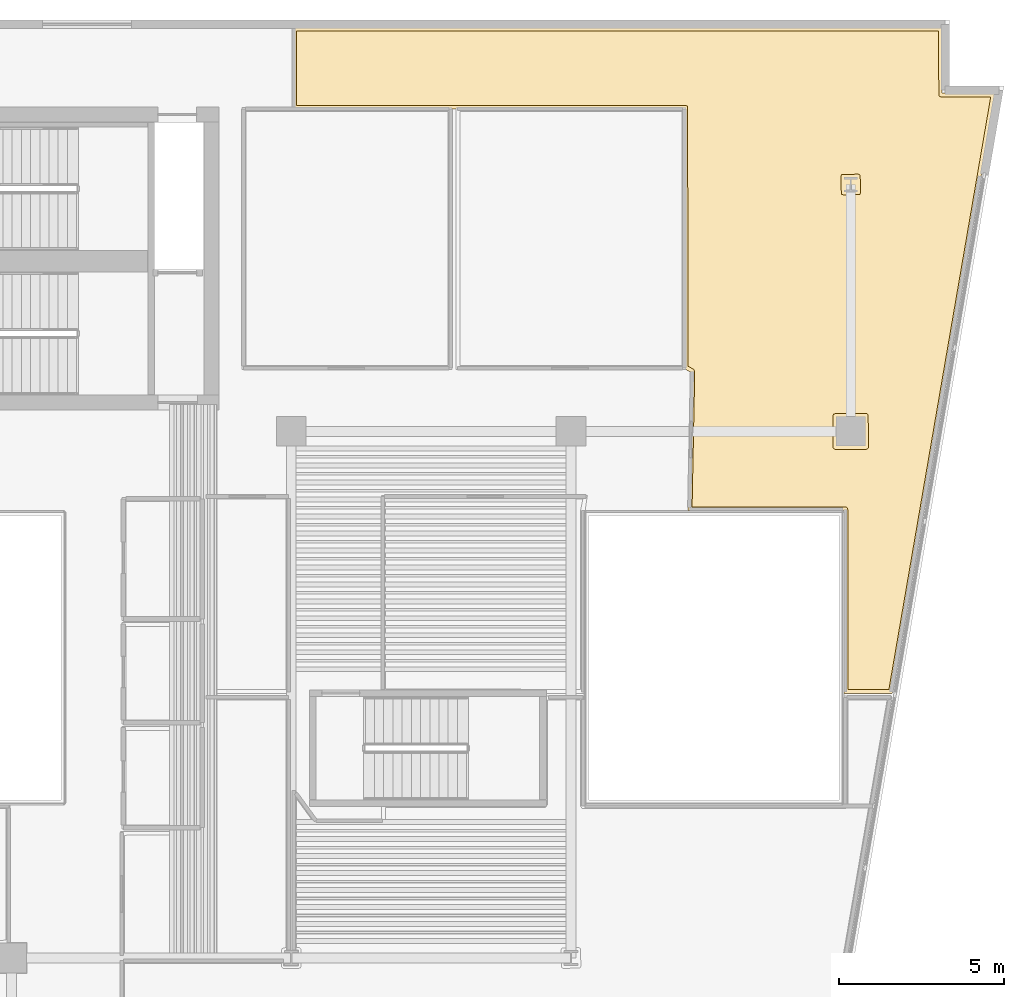
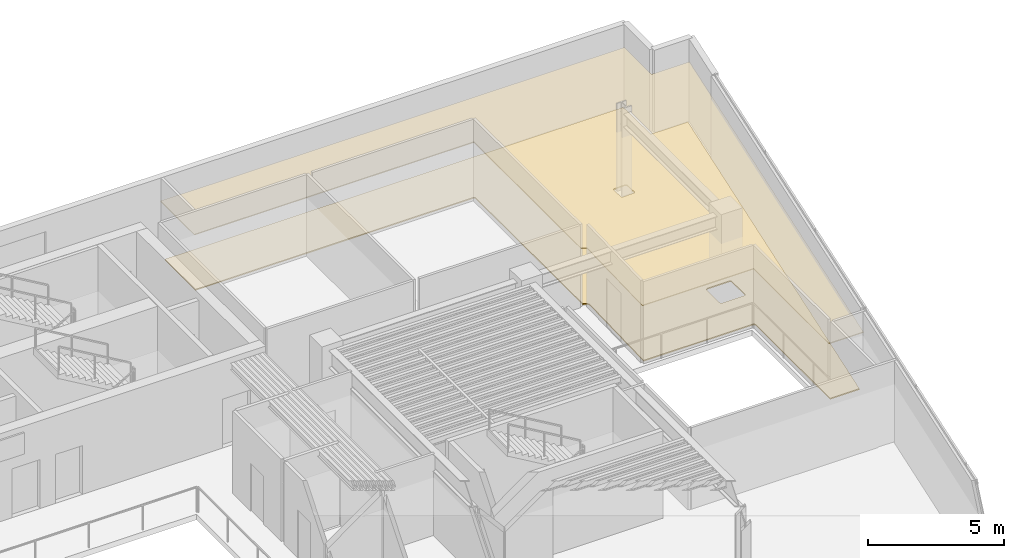
# One storey, part 10 of 10: 2 coverings.
"""IFC4 building model written with IfcOpenShell, lengths in metres."""

from ifc_helpers import new_model, si_unit, direction, frame, origin, place, context, subcontext, project, spatial, polyline, outline, extrude, material, layer, layer_set, type_object, element, save


model = new_model("IFC4")

# Units and contexts
model_context = context("Model", 3, precision=1e-05, world=origin(), true_north=direction((0.0, 1.0)))
body_context = subcontext(model_context, "Body", "Model", "MODEL_VIEW")
ifc_project = project(units=[si_unit("LENGTHUNIT", "METRE"), si_unit("AREAUNIT", "SQUARE_METRE"), si_unit("VOLUMEUNIT", "CUBIC_METRE"), si_unit("PLANEANGLEUNIT", "RADIAN"), si_unit("MASSUNIT", "GRAM", prefix="KILO")], contexts=[model_context])

# Site, building, storey
site_placement = place(None, origin())
site = spatial("IfcSite", under=ifc_project, at=site_placement, CompositionType="ELEMENT")
building_placement = place(site_placement, origin())
building = spatial("IfcBuilding", under=site, at=building_placement, Name="Caeloran Harvest Quay", CompositionType="ELEMENT")
storey_placement = place(building_placement, frame((0.0, 0.0, 191.64990234375)))
storey = spatial("IfcBuildingStorey", under=building, at=storey_placement, Name="L45", CompositionType="ELEMENT", Elevation=191.64990234375)

# Coverings
ifc_material_1 = material(Name="Perforated Mineral-Fibre Acoustic Ceiling Tile", Category="ceiling")
ifc_layer_1 = layer(ifc_material_1, 0.0400390625, Name="Perforated Mineral-Fibre Acoustic Ceiling Tile")
ifc_layer_set_1 = layer_set([ifc_layer_1], Name="Perforated Mineral-Fibre Acoustic Ceiling Tile")
covering_type_1 = type_object("IfcCoveringType", Name="COV-CEILING-ACOUSTIC", PredefinedType="CEILING", material=ifc_layer_set_1)
covering_1_placement = place(storey_placement, frame((0.0, 0.0, 2.60009765625)))
element("IfcCovering", 1, at=covering_1_placement, inside=storey, type_object=covering_type_1, Name="Records Archive Laboratory Acoustic Ceiling", PredefinedType="CEILING", context=body_context, shape_type="SweptSolid", body=[
    extrude(outline(polyline([(45.280029296875, 41.280029296875), (46.895263671875, 41.280029296875), (43.760009765625, 23.0400390625), (42.2900390625, 23.0400390625), (42.2900390625, 28.590087890625), (37.556884765625, 28.590087890625), (37.639404296875, 32.797119140625), (37.43994140625, 32.91015625), (37.43994140625, 40.7900390625), (25.5400390625, 40.7900390625), (25.5400390625, 43.280029296875), (45.280029296875, 43.280029296875), (45.280029296875, 41.280029296875)])), origin(), (0.0, 0.0, 1.0), 0.0400390625),
])
ifc_material_2 = material(Name="Calcium-Sulphate Raised Access Floor and Terrazzo Finish", Category="flooring")
ifc_layer_2 = layer(ifc_material_2, 0.050048828125, Name="Calcium-Sulphate Raised Access Floor and Terrazzo Finish")
ifc_layer_set_2 = layer_set([ifc_layer_2], Name="Calcium-Sulphate Raised Access Floor and Terrazzo Finish")
covering_type_2 = type_object("IfcCoveringType", Name="COV-FLOOR-RAISED", PredefinedType="FLOORING", material=ifc_layer_set_2)
covering_2_placement = place(storey_placement, origin())
element("IfcCovering", 2, at=covering_2_placement, inside=storey, type_object=covering_type_2, Name="Records Archive Laboratory Raised Finish Flooring", PredefinedType="FLOORING", context=body_context, shape_type="SweptSolid", body=[
    extrude(outline(polyline([(25.659912109375, 43.159912109375), (45.159912109375, 43.159912109375), (45.17822265625, 41.189208984375), (45.239990234375, 41.159912109375), (46.752685546875, 41.159912109375), (43.658935546875, 23.159912109375), (42.409912109375, 23.159912109375), (42.409912109375, 28.6298828125), (42.38671875, 28.6865234375), (42.330078125, 28.7099609375), (37.679443359375, 28.7099609375), (37.760009765625, 32.818359375), (37.732177734375, 32.880615234375), (37.56005859375, 32.97998046875), (37.541748046875, 40.880859375), (37.47998046875, 40.909912109375), (25.659912109375, 40.909912109375), (25.659912109375, 43.159912109375)]), holes=[polyline([(43.044921875, 30.534912109375), (43.02685546875, 31.515869140625), (42.972900390625, 31.544677734375), (42.034912109375, 31.544921875), (41.978515625, 31.521484375), (41.955078125, 31.465087890625), (41.955078125, 30.534912109375), (41.978515625, 30.478515625), (42.034912109375, 30.455078125), (42.965087890625, 30.455078125), (43.021484375, 30.478515625), (43.044921875, 30.534912109375)]), polyline([(42.802490234375, 38.254150390625), (42.784912109375, 38.788818359375), (42.730712890625, 38.817626953125), (42.226318359375, 38.7998046875), (42.197021484375, 38.738037109375), (42.215087890625, 38.211181640625), (42.277099609375, 38.181884765625), (42.773681640625, 38.2001953125), (42.802490234375, 38.254150390625)])]), origin(), (0.0, 0.0, 1.0), 0.050048828125),
])

save(model, "model.ifc")
